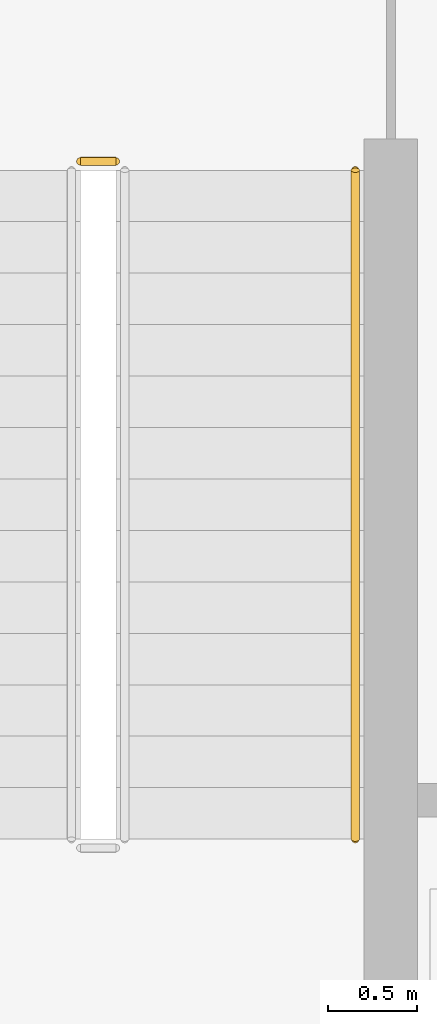
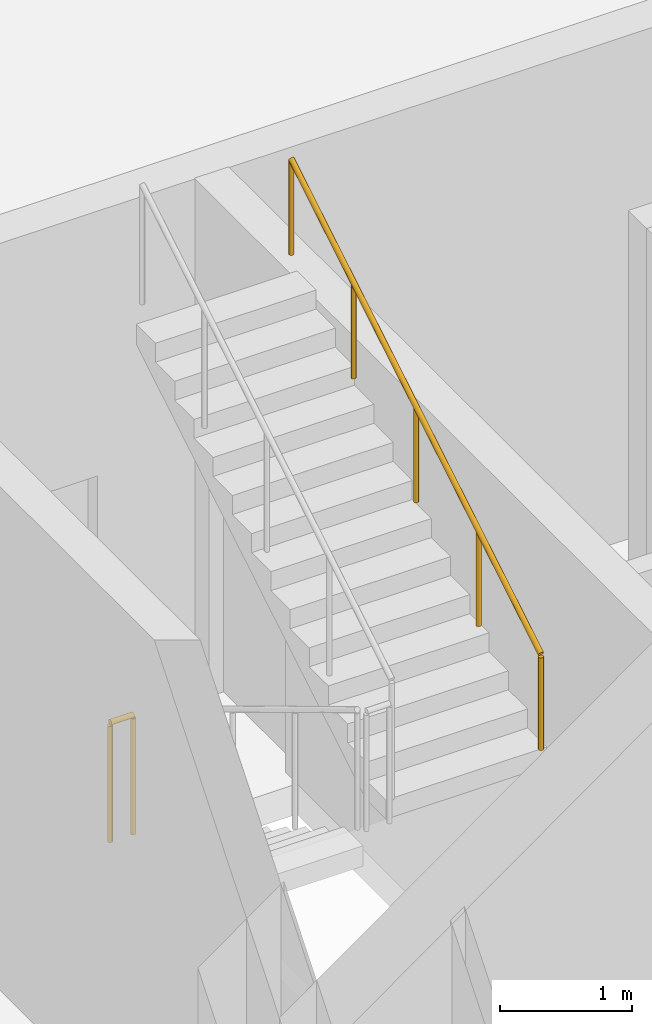
# One storey, part 79 of 85: 2 railings.
"""IFC4 building model written with IfcOpenShell, lengths in metres."""

from ifc_helpers import new_model, si_unit, derived_unit, direction, frame, origin, origin_2d, place, context, subcontext, project, spatial, circle, extrude, material, type_object, element, save


model = new_model("IFC4")

# Units and contexts
model_context = context("Model", 3, precision=1e-05, world=origin(), true_north=direction((0.0, 1.0)))
body_context = subcontext(model_context, "Body", "Model", "MODEL_VIEW")
ifc_project = project(units=[si_unit("LENGTHUNIT", "METRE"), si_unit("AREAUNIT", "SQUARE_METRE"), si_unit("VOLUMEUNIT", "CUBIC_METRE"), si_unit("PLANEANGLEUNIT", "RADIAN"), si_unit("MASSUNIT", "GRAM", prefix="KILO"), derived_unit("THERMALTRANSMITTANCEUNIT", [(si_unit("MASSUNIT", "GRAM", prefix="KILO"), 1), (si_unit("TIMEUNIT", "SECOND"), -3), (si_unit("THERMODYNAMICTEMPERATUREUNIT", "KELVIN"), -1)])], contexts=[model_context])

# Site, building, storey
site_placement = place(None, origin())
site = spatial("IfcSite", under=ifc_project, at=site_placement, CompositionType="ELEMENT")
building_placement = place(site_placement, origin())
building = spatial("IfcBuilding", under=site, at=building_placement, Name="Ochrekiln Boulevard Commons", CompositionType="ELEMENT")
storey_placement = place(building_placement, origin())
storey = spatial("IfcBuildingStorey", under=building, at=storey_placement, Name="L00", CompositionType="ELEMENT", Elevation=0.0)

# Railings
ifc_material = material(Name="Brushed stainless steel 316 tubular railing", Category="steel")
railing_type_1 = type_object("IfcRailingType", Name="RLG-HDR-900", PredefinedType="HANDRAIL", material=ifc_material)
railing_1_placement = place(storey_placement, frame((159.449951171875, 44.760009765625, 2.625)))
element("IfcRailing", 1, at=railing_1_placement, inside=storey, type_object=railing_type_1, Name="L00 ST-C2 stair handrail 2", PredefinedType="HANDRAIL", context=body_context, shape_type="SweptSolid", body=[
    extrude(circle(Radius=0.02392578125, at=origin_2d()), frame((0.0, 0.0, 0.8759765625), z_axis=(0.0, 0.856198655849, 0.51664674752), x_axis=(-1.0, 0.0, 0.0)), (0.0, 0.0, 1.0), 4.4033203125),
    extrude(circle(Radius=0.02099609375, at=origin_2d()), origin(), (0.0, 0.0, 1.0), 0.851806640625),
    extrude(circle(Radius=0.02099609375, at=origin_2d()), frame((0.0, 0.9423828125, 0.56884765625)), (0.0, 0.0, 1.0), 0.851806640625),
    extrude(circle(Radius=0.02099609375, at=origin_2d()), frame((0.0, 1.885009765625, 1.137451171875)), (0.0, 0.0, 1.0), 0.851806640625),
    extrude(circle(Radius=0.02099609375, at=origin_2d()), frame((0.0, 2.82763671875, 1.7060546875)), (0.0, 0.0, 1.0), 0.851806640625),
    extrude(circle(Radius=0.02099609375, at=origin_2d()), frame((0.0, 3.77001953125, 2.27490234375)), (0.0, 0.0, 1.0), 0.851806640625),
])
railing_type_2 = type_object("IfcRailingType", Name="RLG-STR-1120", PredefinedType="BALUSTRADE", material=ifc_material)
railing_2_placement = place(storey_placement, frame((157.89990234375, 48.580078125, 0.0)))
element("IfcRailing", 2, at=railing_2_placement, inside=storey, type_object=railing_type_2, Name="L00 ST-C2 stair guard 4", PredefinedType="BALUSTRADE", context=body_context, shape_type="SweptSolid", body=[
    extrude(circle(Radius=0.02392578125, at=origin_2d()), frame((0.0, 0.0, 1.09619140625), z_axis=(1.0, 0.0, 0.0), x_axis=(0.0, 1.0, 0.0)), (0.0, 0.0, 1.0), 0.2001953125),
    extrude(circle(Radius=0.02099609375, at=origin_2d()), origin(), (0.0, 0.0, 1.0), 1.072021484375),
    extrude(circle(Radius=0.02099609375, at=origin_2d()), frame((0.2001953125, 0.0, 0.0)), (0.0, 0.0, 1.0), 1.072021484375),
])

save(model, "model.ifc")
